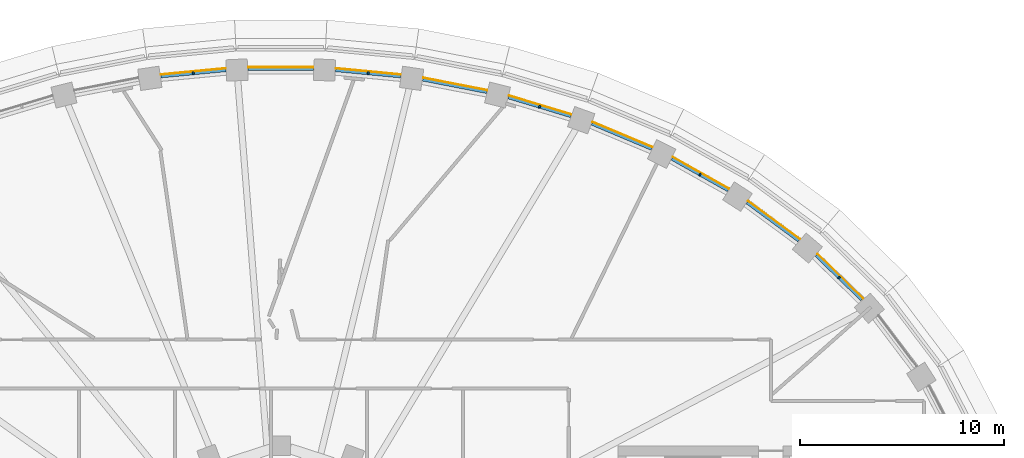
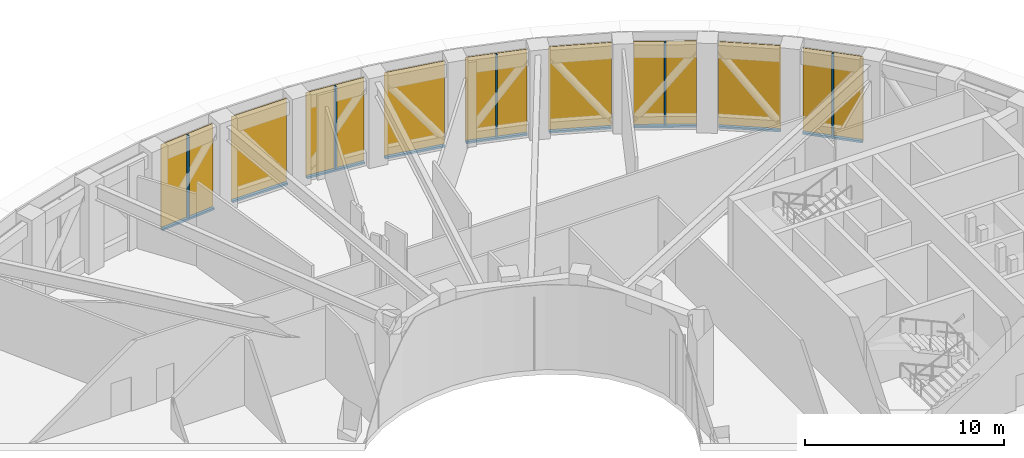
# One storey, part 16 of 23: 14 members, 9 curtain walls.
"""IFC4 building model written with IfcOpenShell, lengths in metres."""

from ifc_helpers import new_model, si_unit, direction, frame, origin, origin_2d, place, context, subcontext, project, spatial, polyline, rectangle, outline, extrude, material, layer, layer_set, material_profile, profile_set, type_object, element, aggregate, save


model = new_model("IFC4")

# Units and contexts
model_context = context("Model", 3, precision=1e-05, world=origin(), true_north=direction((0.0, 1.0)))
body_context = subcontext(model_context, "Body", "Model", "MODEL_VIEW")
ifc_project = project(units=[si_unit("LENGTHUNIT", "METRE"), si_unit("AREAUNIT", "SQUARE_METRE"), si_unit("VOLUMEUNIT", "CUBIC_METRE"), si_unit("PLANEANGLEUNIT", "RADIAN"), si_unit("MASSUNIT", "GRAM", prefix="KILO")], contexts=[model_context])

# Member
ifc_material_1 = material(Name="Aluminium 6063-T6 black anodised", Category="aluminium")
ifc_material_profile = material_profile(ifc_material_1, rectangle(XDim=0.14990234375, YDim=0.080078125, at=origin_2d()), Name="150x80")
ifc_profile_set = profile_set([ifc_material_profile], Name="Aluminium 6063-T6 black anodised")
member_type_1 = type_object("IfcMemberType", Name="ENV-MULLION-B-150", PredefinedType="MULLION", material=ifc_profile_set)
site_placement = place(None, origin())
building_placement = place(site_placement, origin())
storey_placement = place(building_placement, frame((0.0, 0.0, 285.5)))
member_1_placement = place(storey_placement, frame((27.3310546875, 16.73583984375, 0.1201171875), z_axis=(0.0, 0.0, 1.0), x_axis=(-0.696842125038, -0.717224548362, 0.0)))
member_1 = element("IfcMember", 1, at=member_1_placement, type_object=member_type_1, Name="Mullion B chord 05", PredefinedType="MULLION", context=body_context, shape_type="SweptSolid", body=[
    extrude(rectangle(XDim=0.14990234375, YDim=0.080078125, at=origin_2d()), origin(), (0.0, 0.0, 1.0), 5.079833984375),
])

member_2_placement = place(storey_placement, frame((20.525634765625, 21.780029296875, 0.1201171875), z_axis=(0.0, 0.0, 1.0), x_axis=(-0.48942643941, -0.872044586249, 0.0)))
member_2 = element("IfcMember", 2, at=member_2_placement, type_object=member_type_1, Name="Mullion B chord 07", PredefinedType="MULLION", context=body_context, shape_type="SweptSolid", body=[
    extrude(rectangle(XDim=0.14990234375, YDim=0.080078125, at=origin_2d()), origin(), (0.0, 0.0, 1.0), 5.079833984375),
])

member_3_placement = place(storey_placement, frame((12.673828125, 25.098388671875, 0.1201171875), z_axis=(0.0, 0.0, 1.0), x_axis=(-0.28817445525, -0.957577925467, 0.0)))
member_3 = element("IfcMember", 3, at=member_3_placement, type_object=member_type_1, Name="Mullion B chord 09", PredefinedType="MULLION", context=body_context, shape_type="SweptSolid", body=[
    extrude(rectangle(XDim=0.14990234375, YDim=0.080078125, at=origin_2d()), origin(), (0.0, 0.0, 1.0), 5.079833984375),
])

member_4_placement = place(storey_placement, frame((4.2802734375, 26.7373046875, 0.1201171875), z_axis=(0.0, 0.0, 1.0), x_axis=(-0.095008122171, -0.995476497323, 0.0)))
member_4 = element("IfcMember", 4, at=member_4_placement, type_object=member_type_1, Name="Mullion B chord 11", PredefinedType="MULLION", context=body_context, shape_type="SweptSolid", body=[
    extrude(rectangle(XDim=0.14990234375, YDim=0.080078125, at=origin_2d()), origin(), (0.0, 0.0, 1.0), 5.079833984375),
])

member_5_placement = place(storey_placement, frame((-4.2802734375, 26.7373046875, 0.1201171875), z_axis=(0.0, 0.0, 1.0), x_axis=(0.095008122171, -0.995476497323, 0.0)))
member_5 = element("IfcMember", 5, at=member_5_placement, type_object=member_type_1, Name="Mullion B chord 13", PredefinedType="MULLION", context=body_context, shape_type="SweptSolid", body=[
    extrude(rectangle(XDim=0.14990234375, YDim=0.080078125, at=origin_2d()), origin(), (0.0, 0.0, 1.0), 5.079833984375),
])

ifc_material_2 = material(Name="Aluminium 6063-T6 black anodised", Category="aluminium")
member_type_2 = type_object("IfcMemberType", Name="ENV-TRANSOM-B", PredefinedType="USERDEFINED", material=ifc_material_2)
member_6_placement = place(storey_placement, origin())
member_6 = element("IfcMember", 6, at=member_6_placement, type_object=member_type_2, Name="Transom B radial 05-06", ObjectType="TRANSOM", PredefinedType="USERDEFINED", context=body_context, shape_type="SweptSolid", body=[
    extrude(outline(polyline([(28.503662109375, 15.701416015625), (26.260498046875, 17.880615234375), (26.1630859375, 17.76611328125), (28.390869140625, 15.6015625), (28.503662109375, 15.701416015625)])), origin(), (0.0, 0.0, 1.0), 0.1201171875),
])

member_7_placement = place(storey_placement, origin())
member_7 = element("IfcMember", 7, at=member_7_placement, type_object=member_type_2, Name="Transom B radial 06-07", ObjectType="TRANSOM", PredefinedType="USERDEFINED", context=body_context, shape_type="SweptSolid", body=[
    extrude(outline(polyline([(25.40869140625, 18.602294921875), (22.8740234375, 20.46923828125), (22.79248046875, 20.343017578125), (25.3115234375, 18.487548828125), (25.40869140625, 18.602294921875)])), origin(), (0.0, 0.0, 1.0), 0.1201171875),
])

member_8_placement = place(storey_placement, origin())
member_8 = element("IfcMember", 8, at=member_8_placement, type_object=member_type_2, Name="Transom B radial 07-08", ObjectType="TRANSOM", PredefinedType="USERDEFINED", context=body_context, shape_type="SweptSolid", body=[
    extrude(outline(polyline([(21.94091796875, 21.071533203125), (19.18115234375, 22.62060546875), (19.115234375, 22.485595703125), (21.859619140625, 20.9453125), (21.94091796875, 21.071533203125)])), origin(), (0.0, 0.0, 1.0), 0.1201171875),
])

member_9_placement = place(storey_placement, origin())
member_9 = element("IfcMember", 9, at=member_9_placement, type_object=member_type_2, Name="Transom B radial 08-09", ObjectType="TRANSOM", PredefinedType="USERDEFINED", context=body_context, shape_type="SweptSolid", body=[
    extrude(outline(polyline([(18.1875, 23.106201171875), (15.25830078125, 24.338134765625), (15.20751953125, 24.19677734375), (18.12158203125, 22.97119140625), (18.1875, 23.106201171875)])), origin(), (0.0, 0.0, 1.0), 0.1201171875),
])

member_10_placement = place(storey_placement, origin())
member_10 = element("IfcMember", 10, at=member_10_placement, type_object=member_type_2, Name="Transom B radial 09-10", ObjectType="TRANSOM", PredefinedType="USERDEFINED", context=body_context, shape_type="SweptSolid", body=[
    extrude(outline(polyline([(14.220947265625, 24.711181640625), (11.168701171875, 25.629638671875), (11.1328125, 25.48388671875), (14.170166015625, 24.56982421875), (14.220947265625, 24.711181640625)])), origin(), (0.0, 0.0, 1.0), 0.1201171875),
])

member_11_placement = place(storey_placement, origin())
member_11 = element("IfcMember", 11, at=member_11_placement, type_object=member_type_2, Name="Transom B radial 10-11", ObjectType="TRANSOM", PredefinedType="USERDEFINED", context=body_context, shape_type="SweptSolid", body=[
    extrude(outline(polyline([(10.10107421875, 25.893310546875), (6.9658203125, 26.5029296875), (6.9443359375, 26.354248046875), (10.06494140625, 25.74755859375), (10.10107421875, 25.893310546875)])), origin(), (0.0, 0.0, 1.0), 0.1201171875),
])

member_12_placement = place(storey_placement, origin())
member_12 = element("IfcMember", 12, at=member_12_placement, type_object=member_type_2, Name="Transom B radial 11-12", ObjectType="TRANSOM", PredefinedType="USERDEFINED", context=body_context, shape_type="SweptSolid", body=[
    extrude(outline(polyline([(5.87890625, 26.659912109375), (2.69580078125, 26.9638671875), (2.6884765625, 26.813720703125), (5.857421875, 26.511474609375), (5.87890625, 26.659912109375)])), origin(), (0.0, 0.0, 1.0), 0.1201171875),
])

member_13_placement = place(storey_placement, origin())
member_13 = element("IfcMember", 13, at=member_13_placement, type_object=member_type_2, Name="Transom B radial 12-13", ObjectType="TRANSOM", PredefinedType="USERDEFINED", context=body_context, shape_type="SweptSolid", body=[
    extrude(outline(polyline([(1.599365234375, 27.01611328125), (-1.599365234375, 27.01611328125), (-1.59228515625, 26.865966796875), (1.59228515625, 26.865966796875), (1.599365234375, 27.01611328125)])), origin(), (0.0, 0.0, 1.0), 0.1201171875),
])

member_14_placement = place(storey_placement, origin())
member_14 = element("IfcMember", 14, at=member_14_placement, type_object=member_type_2, Name="Transom B radial 13-14", ObjectType="TRANSOM", PredefinedType="USERDEFINED", context=body_context, shape_type="SweptSolid", body=[
    extrude(outline(polyline([(-2.69580078125, 26.9638671875), (-5.87890625, 26.659912109375), (-5.857421875, 26.511474609375), (-2.688720703125, 26.813720703125), (-2.69580078125, 26.9638671875)])), origin(), (0.0, 0.0, 1.0), 0.1201171875),
])

# Site, building, storey
site = spatial("IfcSite", under=ifc_project, at=site_placement, CompositionType="ELEMENT")
building = spatial("IfcBuilding", under=site, at=building_placement, Name="Noorbagh Ring Tower", CompositionType="ELEMENT")
storey = spatial("IfcBuildingStorey", under=building, at=storey_placement, Name="L61", CompositionType="ELEMENT", Elevation=285.5)

# Curtain wall
ifc_material_3 = material(Name="Glass dark tinted laminated", Category="glass")
ifc_layer = layer(ifc_material_3, 0.031982421875)
ifc_layer_set = layer_set([ifc_layer], Name="Glass dark tinted laminated")
curtain_wall_type = type_object("IfcCurtainWallType", Name="ENV-CW-B", PredefinedType="NOTDEFINED", material=ifc_layer_set)
curtain_wall_1_placement = place(storey_placement, origin())
curtain_wall_1 = element("IfcCurtainWall", 15, at=curtain_wall_1_placement, inside=storey, type_object=curtain_wall_type, Name="Curtain wall B R05", PredefinedType="NOTDEFINED", context=body_context, shape_type="SweptSolid", body=[
    extrude(outline(polyline([(28.527587890625, 15.72265625), (26.28125, 17.9052734375), (26.260498046875, 17.880615234375), (28.503662109375, 15.701416015625), (28.527587890625, 15.72265625)])), origin(), (0.0, 0.0, 1.0), 5.199951171875),
])

aggregate(curtain_wall_1, [member_1, member_6])

curtain_wall_2_placement = place(storey_placement, origin())
curtain_wall_2 = element("IfcCurtainWall", 16, at=curtain_wall_2_placement, inside=storey, type_object=curtain_wall_type, Name="Curtain wall B R06", PredefinedType="NOTDEFINED", context=body_context, shape_type="SweptSolid", body=[
    extrude(outline(polyline([(25.429443359375, 18.626708984375), (22.8916015625, 20.496337890625), (22.8740234375, 20.46923828125), (25.40869140625, 18.602294921875), (25.429443359375, 18.626708984375)])), origin(), (0.0, 0.0, 1.0), 5.199951171875),
])

aggregate(curtain_wall_2, [member_7])

curtain_wall_3_placement = place(storey_placement, origin())
curtain_wall_3 = element("IfcCurtainWall", 17, at=curtain_wall_3_placement, inside=storey, type_object=curtain_wall_type, Name="Curtain wall B R07", PredefinedType="NOTDEFINED", context=body_context, shape_type="SweptSolid", body=[
    extrude(outline(polyline([(21.95849609375, 21.098388671875), (19.1953125, 22.6494140625), (19.18115234375, 22.62060546875), (21.94091796875, 21.071533203125), (21.95849609375, 21.098388671875)])), origin(), (0.0, 0.0, 1.0), 5.199951171875),
])

aggregate(curtain_wall_3, [member_2, member_8])

curtain_wall_4_placement = place(storey_placement, origin())
curtain_wall_4 = element("IfcCurtainWall", 18, at=curtain_wall_4_placement, inside=storey, type_object=curtain_wall_type, Name="Curtain wall B R08", PredefinedType="NOTDEFINED", context=body_context, shape_type="SweptSolid", body=[
    extrude(outline(polyline([(18.20166015625, 23.135009765625), (15.269287109375, 24.3681640625), (15.25830078125, 24.338134765625), (18.1875, 23.106201171875), (18.20166015625, 23.135009765625)])), origin(), (0.0, 0.0, 1.0), 5.199951171875),
])

aggregate(curtain_wall_4, [member_9])

curtain_wall_5_placement = place(storey_placement, origin())
curtain_wall_5 = element("IfcCurtainWall", 19, at=curtain_wall_5_placement, inside=storey, type_object=curtain_wall_type, Name="Curtain wall B R09", PredefinedType="NOTDEFINED", context=body_context, shape_type="SweptSolid", body=[
    extrude(outline(polyline([(14.231689453125, 24.7412109375), (11.176513671875, 25.66064453125), (11.168701171875, 25.629638671875), (14.220947265625, 24.711181640625), (14.231689453125, 24.7412109375)])), origin(), (0.0, 0.0, 1.0), 5.199951171875),
])

aggregate(curtain_wall_5, [member_3, member_10])

curtain_wall_6_placement = place(storey_placement, origin())
curtain_wall_6 = element("IfcCurtainWall", 20, at=curtain_wall_6_placement, inside=storey, type_object=curtain_wall_type, Name="Curtain wall B R10", PredefinedType="NOTDEFINED", context=body_context, shape_type="SweptSolid", body=[
    extrude(outline(polyline([(10.108642578125, 25.924560546875), (6.970458984375, 26.53466796875), (6.9658203125, 26.5029296875), (10.10107421875, 25.893310546875), (10.108642578125, 25.924560546875)])), origin(), (0.0, 0.0, 1.0), 5.199951171875),
])

aggregate(curtain_wall_6, [member_11])

curtain_wall_7_placement = place(storey_placement, origin())
curtain_wall_7 = element("IfcCurtainWall", 21, at=curtain_wall_7_placement, inside=storey, type_object=curtain_wall_type, Name="Curtain wall B R11", PredefinedType="NOTDEFINED", context=body_context, shape_type="SweptSolid", body=[
    extrude(outline(polyline([(5.88330078125, 26.691650390625), (2.697265625, 26.995849609375), (2.69580078125, 26.9638671875), (5.87890625, 26.659912109375), (5.88330078125, 26.691650390625)])), origin(), (0.0, 0.0, 1.0), 5.199951171875),
])

aggregate(curtain_wall_7, [member_4, member_12])

curtain_wall_8_placement = place(storey_placement, origin())
curtain_wall_8 = element("IfcCurtainWall", 22, at=curtain_wall_8_placement, inside=storey, type_object=curtain_wall_type, Name="Curtain wall B R12", PredefinedType="NOTDEFINED", context=body_context, shape_type="SweptSolid", body=[
    extrude(outline(polyline([(1.60107421875, 27.048095703125), (-1.60107421875, 27.048095703125), (-1.599365234375, 27.01611328125), (1.599365234375, 27.01611328125), (1.60107421875, 27.048095703125)])), origin(), (0.0, 0.0, 1.0), 5.199951171875),
])

aggregate(curtain_wall_8, [member_13])

curtain_wall_9_placement = place(storey_placement, origin())
curtain_wall_9 = element("IfcCurtainWall", 23, at=curtain_wall_9_placement, inside=storey, type_object=curtain_wall_type, Name="Curtain wall B R13", PredefinedType="NOTDEFINED", context=body_context, shape_type="SweptSolid", body=[
    extrude(outline(polyline([(-2.697265625, 26.995849609375), (-5.88330078125, 26.691650390625), (-5.87890625, 26.659912109375), (-2.69580078125, 26.9638671875), (-2.697265625, 26.995849609375)])), origin(), (0.0, 0.0, 1.0), 5.199951171875),
])

aggregate(curtain_wall_9, [member_5, member_14])

save(model, "model.ifc")
